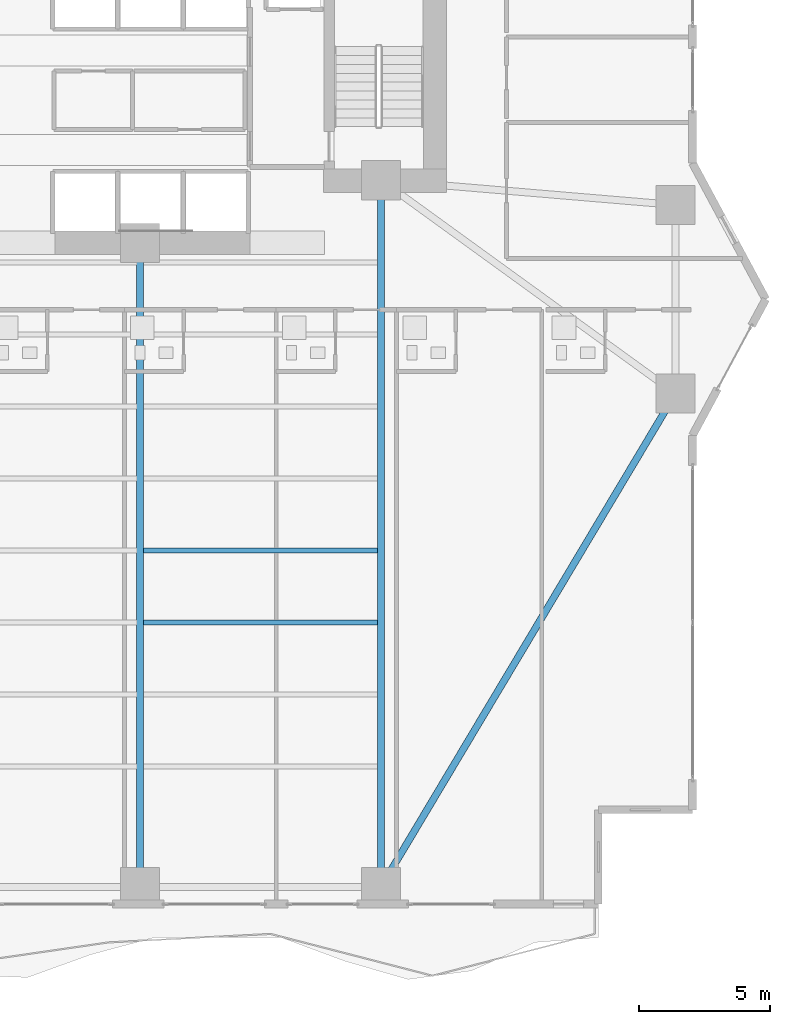
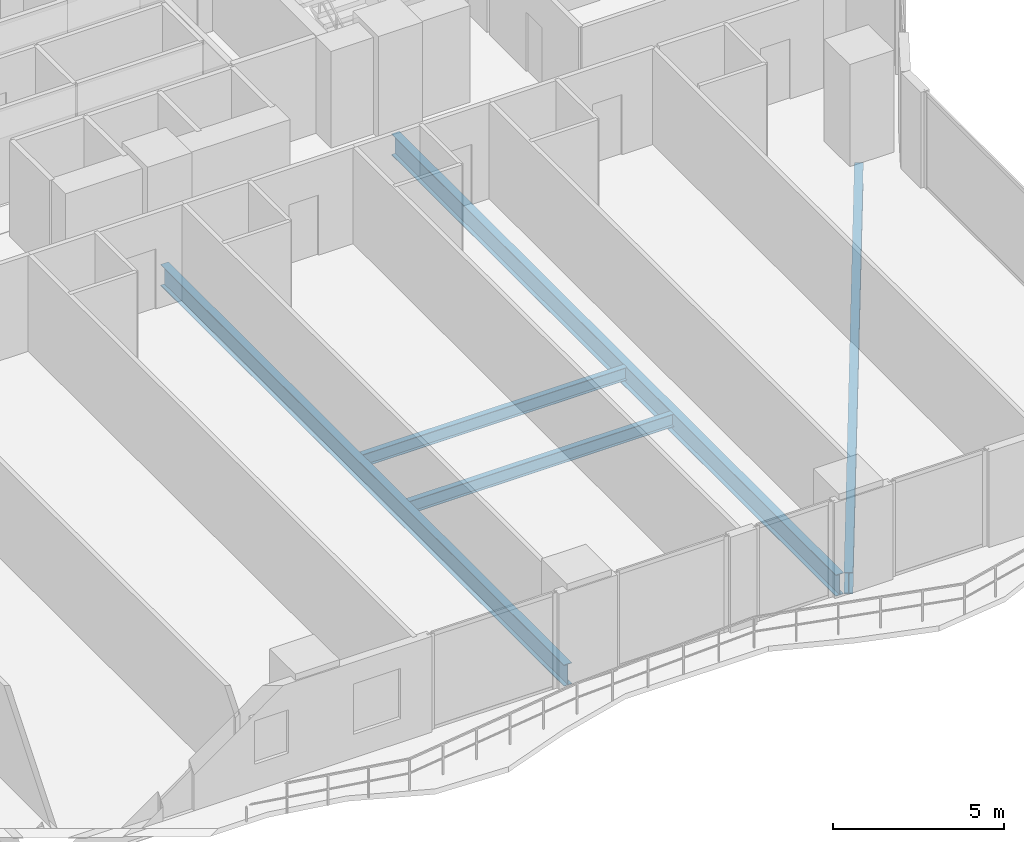
# One storey, part 9 of 28: 5 beams.
"""IFC4 building model written with IfcOpenShell, lengths in metres."""

from ifc_helpers import new_model, si_unit, direction, frame, origin, origin_2d, place, context, subcontext, project, spatial, i_section, extrude, material, material_profile, profile_set, type_object, element, save


model = new_model("IFC4")

# Units and contexts
model_context = context("Model", 3, precision=1e-05, world=origin(), true_north=direction((0.0, 1.0)))
body_context = subcontext(model_context, "Body", "Model", "MODEL_VIEW")
ifc_project = project(units=[si_unit("LENGTHUNIT", "METRE"), si_unit("AREAUNIT", "SQUARE_METRE"), si_unit("VOLUMEUNIT", "CUBIC_METRE"), si_unit("PLANEANGLEUNIT", "RADIAN"), si_unit("MASSUNIT", "GRAM", prefix="KILO")], contexts=[model_context])

# Site, building, storey
site_placement = place(None, origin())
site = spatial("IfcSite", under=ifc_project, at=site_placement, CompositionType="ELEMENT")
building_placement = place(site_placement, origin())
building = spatial("IfcBuilding", under=site, at=building_placement, Name="Zuhayl Quay Hotel", CompositionType="ELEMENT")
storey_placement = place(building_placement, frame((0.0, 0.0, 31.25)))
storey = spatial("IfcBuildingStorey", under=building, at=storey_placement, Name="L06", CompositionType="ELEMENT", Elevation=31.25)

# Beams
ifc_material = material(Name="Steel ASTM A992 Grade 50", Category="steel")
ifc_material_profile_1 = material_profile(ifc_material, i_section(OverallWidth=0.26708984375, OverallDepth=0.761962890625, WebThickness=0.014404296875, FlangeThickness=0.021484375, at=origin_2d()), Name="W30X116")
ifc_profile_set_1 = profile_set([ifc_material_profile_1], Name="Steel ASTM A992 Grade 50")
beam_type_1 = type_object("IfcBeamType", Name="BM_B1_W30X116", PredefinedType="BEAM", material=ifc_profile_set_1)
beam_1_placement = place(storey_placement, frame((14.05615234375, -22.020751953125, -0.60107421875), z_axis=(0.512482593247, 0.85869761361, 0.0), x_axis=(-0.85869761361, 0.512482593247, 0.0)))
element("IfcBeam", 1, at=beam_1_placement, inside=storey, type_object=beam_type_1, Name="L06 Floor Beam RG_L06_04", PredefinedType="BEAM", context=body_context, shape_type="SweptSolid", body=[
    extrude(i_section(OverallWidth=0.26708984375, OverallDepth=0.761962890625, WebThickness=0.014404296875, FlangeThickness=0.021484375, at=origin_2d()), origin(), (0.0, 0.0, 1.0), 20.9521484375),
])
beam_2_placement = place(storey_placement, frame((4.60009765625, -21.949951171875, -0.60107421875), z_axis=(0.0, 1.0, 0.0), x_axis=(-1.0, 0.0, 0.0)))
element("IfcBeam", 2, at=beam_2_placement, inside=storey, type_object=beam_type_1, Name="L06 Floor Beam FG_S_L06_3", PredefinedType="BEAM", context=body_context, shape_type="SweptSolid", body=[
    extrude(i_section(OverallWidth=0.26708984375, OverallDepth=0.761962890625, WebThickness=0.014404296875, FlangeThickness=0.021484375, at=origin_2d()), origin(), (0.0, 0.0, 1.0), 23.64990234375),
])
beam_3_placement = place(storey_placement, frame((13.800048828125, -21.949951171875, -0.60107421875), z_axis=(0.0, 1.0, 0.0), x_axis=(-1.0, 0.0, 0.0)))
element("IfcBeam", 3, at=beam_3_placement, inside=storey, type_object=beam_type_1, Name="L06 Floor Beam FG_S_L06_4", PredefinedType="BEAM", context=body_context, shape_type="SweptSolid", body=[
    extrude(i_section(OverallWidth=0.26708984375, OverallDepth=0.761962890625, WebThickness=0.014404296875, FlangeThickness=0.021484375, at=origin_2d()), origin(), (0.0, 0.0, 1.0), 26.050048828125),
])
ifc_material_profile_2 = material_profile(ifc_material, i_section(OverallWidth=0.18994140625, OverallDepth=0.45703125, WebThickness=0.009033203125, FlangeThickness=0.014404296875, at=origin_2d()), Name="W18X50")
ifc_profile_set_2 = profile_set([ifc_material_profile_2], Name="Steel ASTM A992 Grade 50")
beam_type_2 = type_object("IfcBeamType", Name="BM_J2_W18X50", PredefinedType="JOIST", material=ifc_profile_set_2)
for number, where, z_axis, x_axis, name in (
    (4, (4.7255859375, -12.35009765625, -0.448486328125), (1.0, 0.0, 0.0), (0.0, 1.0, 0.0), "L06 Floor Beam FJ_L06_5_3"),
    (5, (4.7255859375, -9.60009765625, -0.448486328125), (1.0, 0.0, 0.0), (0.0, 1.0, 0.0), "L06 Floor Beam FJ_L06_6_3"),
):
    element("IfcBeam", number, at=place(storey_placement, frame(where, z_axis=z_axis, x_axis=x_axis)), inside=storey, type_object=beam_type_2, Name=name, PredefinedType="JOIST", context=body_context, shape_type="SweptSolid", body=[
        extrude(i_section(OverallWidth=0.18994140625, OverallDepth=0.45703125, WebThickness=0.009033203125, FlangeThickness=0.014404296875, at=origin_2d()), origin(), (0.0, 0.0, 1.0), 8.948974609375),
    ])

save(model, "model.ifc")
